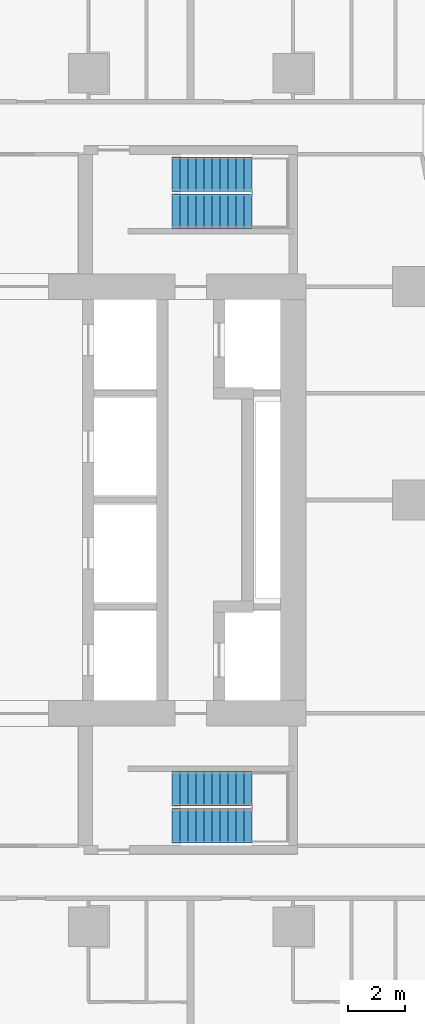
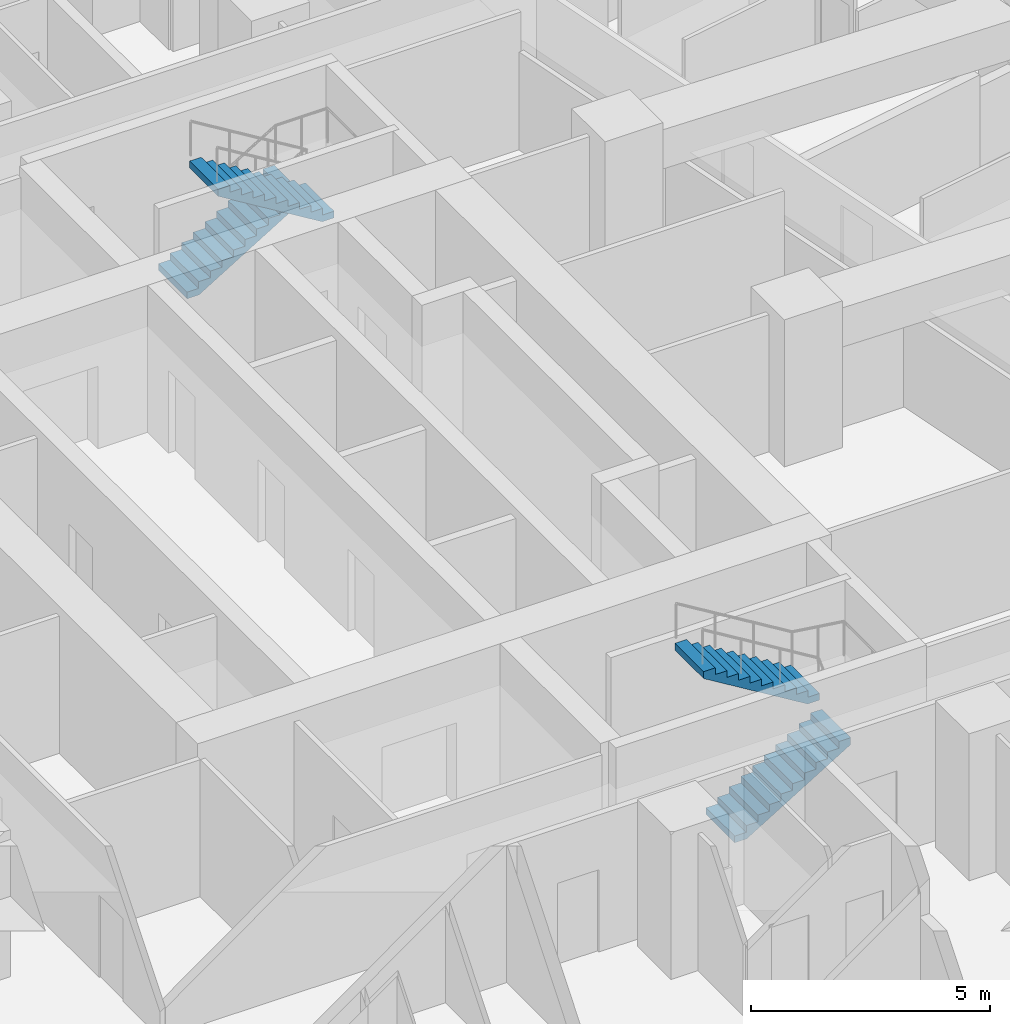
# One storey, part 16 of 17: 4 stair flights, 2 elements without a shape of their own.
"""IFC4 building model written with IfcOpenShell, lengths in metres."""

from ifc_helpers import new_model, si_unit, direction, frame, origin, place, context, subcontext, project, spatial, triangles, material, type_object, element, aggregate, save


model = new_model("IFC4")

# Units and contexts
model_context = context("Model", 3, precision=1e-05, world=origin(), true_north=direction((0.0, 1.0)))
body_context = subcontext(model_context, "Body", "Model", "MODEL_VIEW")
ifc_project = project(units=[si_unit("LENGTHUNIT", "METRE"), si_unit("AREAUNIT", "SQUARE_METRE"), si_unit("VOLUMEUNIT", "CUBIC_METRE"), si_unit("PLANEANGLEUNIT", "RADIAN"), si_unit("MASSUNIT", "GRAM", prefix="KILO")], contexts=[model_context])

# Site, building, storey
site_placement = place(None, origin())
site = spatial("IfcSite", under=ifc_project, at=site_placement, CompositionType="ELEMENT")
building_placement = place(site_placement, origin())
building = spatial("IfcBuilding", under=site, at=building_placement, Name="Sheger Commons Tower", CompositionType="ELEMENT")
storey_placement = place(building_placement, frame((0.0, 0.0, 208.699951171875)))
storey = spatial("IfcBuildingStorey", under=building, at=storey_placement, Name="L53", CompositionType="ELEMENT", Elevation=208.699951171875)

# Stair, stair flights
ifc_material_1 = material(Name="Concrete C35/45", Category="concrete")
stair_type = type_object("IfcStairType", Name="HALF-TURN STAIR 1200 RISE 3750", PredefinedType="HALF_TURN_STAIR", material=ifc_material_1)
stair_1_placement = place(storey_placement, origin())
stair_1 = element("IfcStair", 1, at=stair_1_placement, inside=storey, type_object=stair_type, Name="Stair S1 L53", PredefinedType="HALF_TURN_STAIR")
ifc_material_2 = material(Name="Concrete C35/45", Category="concrete")
stair_flight_type = type_object("IfcStairFlightType", Name="STAIR FLIGHT 1200 11 RISERS OF 170", PredefinedType="STRAIGHT", material=ifc_material_2)
stair_flight_1_placement = place(storey_placement, frame((24.550048828125, 11.050048828125, 0.0), z_axis=(0.0, 0.0, 1.0), x_axis=(1.0, 0.0, 0.0)))
stair_flight_1 = element("IfcStairFlight", 2, at=stair_flight_1_placement, type_object=stair_flight_type, Name="S1 flight 1", NumberOfRisers=11, NumberOfTreads=10, PredefinedType="STRAIGHT", RiserHeight=0.170454545, TreadLength=0.28, context=body_context, shape_type="Tessellation", body=[
    triangles([(0.0, 0.5999755859375, 0.0), (0.0, 0.5999755859375, 0.17041015625), (0.280029296875, 0.5999755859375, 0.17041015625), (0.280029296875, 0.5999755859375, 0.3408203125), (0.56005859375, 0.5999755859375, 0.3408203125), (0.56005859375, 0.5999755859375, 0.511474609375), (0.840087890625, 0.5999755859375, 0.511474609375), (0.840087890625, 0.5999755859375, 0.681884765625), (1.1201171875, 0.5999755859375, 0.681884765625), (1.1201171875, 0.5999755859375, 0.852294921875), (1.39990234375, 0.5999755859375, 0.852294921875), (1.39990234375, 0.5999755859375, 1.022705078125), (1.679931640625, 0.5999755859375, 1.022705078125), (1.679931640625, 0.5999755859375, 1.193115234375), (1.9599609375, 0.5999755859375, 1.193115234375), (1.9599609375, 0.5999755859375, 1.363525390625), (2.239990234375, 0.5999755859375, 1.363525390625), (2.239990234375, 0.5999755859375, 1.5341796875), (2.52001953125, 0.5999755859375, 1.5341796875), (2.52001953125, 0.5999755859375, 1.70458984375), (2.800048828125, 0.5999755859375, 1.70458984375), (2.800048828125, 0.5999755859375, 1.529052734375), (0.288330078125, 0.5999755859375, 0.0), (0.0, -0.5999755859375, 0.0), (0.0, -0.5999755859375, 0.17041015625), (0.280029296875, -0.5999755859375, 0.17041015625), (0.280029296875, -0.5999755859375, 0.3408203125), (0.56005859375, -0.5999755859375, 0.3408203125), (0.56005859375, -0.5999755859375, 0.511474609375), (0.840087890625, -0.5999755859375, 0.511474609375), (0.840087890625, -0.5999755859375, 0.681884765625), (1.1201171875, -0.5999755859375, 0.681884765625), (1.1201171875, -0.5999755859375, 0.852294921875), (1.39990234375, -0.5999755859375, 0.852294921875), (1.39990234375, -0.5999755859375, 1.022705078125), (1.679931640625, -0.5999755859375, 1.022705078125), (1.679931640625, -0.5999755859375, 1.193115234375), (1.9599609375, -0.5999755859375, 1.193115234375), (1.9599609375, -0.5999755859375, 1.363525390625), (2.239990234375, -0.5999755859375, 1.363525390625), (2.239990234375, -0.5999755859375, 1.5341796875), (2.52001953125, -0.5999755859375, 1.5341796875), (2.52001953125, -0.5999755859375, 1.70458984375), (2.800048828125, -0.5999755859375, 1.70458984375), (2.800048828125, -0.5999755859375, 1.529052734375), (0.288330078125, -0.5999755859375, 0.0), (0.0, 0.0, 0.085205078125), (0.1400146484375, 0.0, 0.17041015625), (0.280029296875, 0.0, 0.255615234375), (0.4200439453125, 0.0, 0.3408203125), (0.56005859375, 0.0, 0.4261474609375), (0.7000732421875, 0.0, 0.511474609375), (0.840087890625, 0.0, 0.5966796875), (0.9801025390625, 0.0, 0.681884765625), (1.1201171875, 0.0, 0.76708984375), (1.260009765625, 0.0, 0.852294921875), (1.39990234375, 0.0, 0.9375), (1.5399169921875, 0.0, 1.022705078125), (1.679931640625, 0.0, 1.10791015625), (1.8199462890625, 0.0, 1.193115234375), (1.9599609375, 0.0, 1.2783203125), (2.0999755859375, 0.0, 1.363525390625), (2.239990234375, 0.0, 1.4488525390625), (2.3800048828125, 0.0, 1.5341796875), (2.52001953125, 0.0, 1.619384765625), (2.6600341796875, 0.0, 1.70458984375), (2.800048828125, 0.0, 1.6168212890625), (1.544189453125, 0.0, 0.7645263671875), (0.1441650390625, 0.0, 0.0)], [[1, 22, 23], [24, 46, 45], [22, 20, 21], [45, 44, 43], [22, 19, 20], [45, 43, 42], [22, 18, 19], [45, 42, 41], [22, 17, 18], [45, 41, 40], [17, 15, 16], [40, 39, 38], [22, 15, 17], [45, 40, 38], [15, 13, 14], [38, 37, 36], [22, 13, 15], [45, 38, 36], [13, 11, 12], [36, 35, 34], [22, 11, 13], [45, 36, 34], [11, 9, 10], [34, 33, 32], [22, 9, 11], [45, 34, 32], [9, 7, 8], [32, 31, 30], [22, 7, 9], [45, 32, 30], [7, 5, 6], [30, 29, 28], [22, 5, 7], [45, 30, 28], [5, 3, 4], [28, 27, 26], [22, 3, 5], [45, 28, 26], [1, 3, 22], [24, 45, 26], [3, 1, 2], [26, 25, 24], [1, 47, 2], [2, 47, 25], [25, 47, 24], [24, 47, 1], [2, 48, 3], [3, 48, 26], [26, 48, 25], [25, 48, 2], [3, 49, 4], [4, 49, 27], [27, 49, 26], [26, 49, 3], [4, 50, 5], [5, 50, 28], [28, 50, 27], [27, 50, 4], [5, 51, 6], [6, 51, 29], [29, 51, 28], [28, 51, 5], [6, 52, 7], [7, 52, 30], [30, 52, 29], [29, 52, 6], [7, 53, 8], [8, 53, 31], [31, 53, 30], [30, 53, 7], [8, 54, 9], [9, 54, 32], [32, 54, 31], [31, 54, 8], [9, 55, 10], [10, 55, 33], [33, 55, 32], [32, 55, 9], [10, 56, 11], [11, 56, 34], [34, 56, 33], [33, 56, 10], [11, 57, 12], [12, 57, 35], [35, 57, 34], [34, 57, 11], [12, 58, 13], [13, 58, 36], [36, 58, 35], [35, 58, 12], [13, 59, 14], [14, 59, 37], [37, 59, 36], [36, 59, 13], [14, 60, 15], [15, 60, 38], [38, 60, 37], [37, 60, 14], [15, 61, 16], [16, 61, 39], [39, 61, 38], [38, 61, 15], [16, 62, 17], [17, 62, 40], [40, 62, 39], [39, 62, 16], [17, 63, 18], [18, 63, 41], [41, 63, 40], [40, 63, 17], [18, 64, 19], [19, 64, 42], [42, 64, 41], [41, 64, 18], [19, 65, 20], [20, 65, 43], [43, 65, 42], [42, 65, 19], [20, 66, 21], [21, 66, 44], [44, 66, 43], [43, 66, 20], [21, 67, 22], [22, 67, 45], [45, 67, 44], [44, 67, 21], [22, 68, 23], [23, 68, 46], [46, 68, 45], [45, 68, 22], [23, 69, 1], [1, 69, 24], [24, 69, 46], [46, 69, 23]], closed=True),
])
stair_flight_2_placement = place(storey_placement, frame((27.35009765625, 12.35009765625, 1.875), z_axis=(0.0, 0.0, 1.0), x_axis=(-1.0, 0.0, 0.0)))
stair_flight_2 = element("IfcStairFlight", 3, at=stair_flight_2_placement, type_object=stair_flight_type, Name="S1 flight 2", NumberOfRisers=11, NumberOfTreads=10, PredefinedType="STRAIGHT", RiserHeight=0.170454545, TreadLength=0.28, context=body_context, shape_type="Tessellation", body=[
    triangles([(0.0, 0.5999755859375, 0.0), (0.0, 0.5999755859375, 0.17041015625), (0.280029296875, 0.5999755859375, 0.17041015625), (0.280029296875, 0.5999755859375, 0.3408203125), (0.56005859375, 0.5999755859375, 0.3408203125), (0.56005859375, 0.5999755859375, 0.511474609375), (0.840087890625, 0.5999755859375, 0.511474609375), (0.840087890625, 0.5999755859375, 0.681884765625), (1.1201171875, 0.5999755859375, 0.681884765625), (1.1201171875, 0.5999755859375, 0.852294921875), (1.39990234375, 0.5999755859375, 0.852294921875), (1.39990234375, 0.5999755859375, 1.022705078125), (1.679931640625, 0.5999755859375, 1.022705078125), (1.679931640625, 0.5999755859375, 1.193115234375), (1.9599609375, 0.5999755859375, 1.193115234375), (1.9599609375, 0.5999755859375, 1.363525390625), (2.239990234375, 0.5999755859375, 1.363525390625), (2.239990234375, 0.5999755859375, 1.5341796875), (2.52001953125, 0.5999755859375, 1.5341796875), (2.52001953125, 0.5999755859375, 1.70458984375), (2.800048828125, 0.5999755859375, 1.70458984375), (2.800048828125, 0.5999755859375, 1.529052734375), (0.288330078125, 0.5999755859375, 0.0), (0.0, -0.5999755859375, 0.0), (0.0, -0.5999755859375, 0.17041015625), (0.280029296875, -0.5999755859375, 0.17041015625), (0.280029296875, -0.5999755859375, 0.3408203125), (0.56005859375, -0.5999755859375, 0.3408203125), (0.56005859375, -0.5999755859375, 0.511474609375), (0.840087890625, -0.5999755859375, 0.511474609375), (0.840087890625, -0.5999755859375, 0.681884765625), (1.1201171875, -0.5999755859375, 0.681884765625), (1.1201171875, -0.5999755859375, 0.852294921875), (1.39990234375, -0.5999755859375, 0.852294921875), (1.39990234375, -0.5999755859375, 1.022705078125), (1.679931640625, -0.5999755859375, 1.022705078125), (1.679931640625, -0.5999755859375, 1.193115234375), (1.9599609375, -0.5999755859375, 1.193115234375), (1.9599609375, -0.5999755859375, 1.363525390625), (2.239990234375, -0.5999755859375, 1.363525390625), (2.239990234375, -0.5999755859375, 1.5341796875), (2.52001953125, -0.5999755859375, 1.5341796875), (2.52001953125, -0.5999755859375, 1.70458984375), (2.800048828125, -0.5999755859375, 1.70458984375), (2.800048828125, -0.5999755859375, 1.529052734375), (0.288330078125, -0.5999755859375, 0.0), (0.0, 0.0, 0.085205078125), (0.1400146484375, 0.0, 0.17041015625), (0.280029296875, 0.0, 0.255615234375), (0.4200439453125, 0.0, 0.3408203125), (0.56005859375, 0.0, 0.4261474609375), (0.7000732421875, 0.0, 0.511474609375), (0.840087890625, 0.0, 0.5966796875), (0.9801025390625, 0.0, 0.681884765625), (1.1201171875, 0.0, 0.76708984375), (1.260009765625, 0.0, 0.852294921875), (1.39990234375, 0.0, 0.9375), (1.5399169921875, 0.0, 1.022705078125), (1.679931640625, 0.0, 1.10791015625), (1.8199462890625, 0.0, 1.193115234375), (1.9599609375, 0.0, 1.2783203125), (2.0999755859375, 0.0, 1.363525390625), (2.239990234375, 0.0, 1.4488525390625), (2.3800048828125, 0.0, 1.5341796875), (2.52001953125, 0.0, 1.619384765625), (2.6600341796875, 0.0, 1.70458984375), (2.800048828125, 0.0, 1.6168212890625), (1.544189453125, 0.0, 0.7645263671875), (0.1441650390625, 0.0, 0.0)], [[1, 22, 23], [24, 46, 45], [22, 20, 21], [45, 44, 43], [22, 19, 20], [45, 43, 42], [22, 18, 19], [45, 42, 41], [22, 17, 18], [45, 41, 40], [17, 15, 16], [40, 39, 38], [22, 15, 17], [45, 40, 38], [15, 13, 14], [38, 37, 36], [22, 13, 15], [45, 38, 36], [13, 11, 12], [36, 35, 34], [22, 11, 13], [45, 36, 34], [11, 9, 10], [34, 33, 32], [22, 9, 11], [45, 34, 32], [9, 7, 8], [32, 31, 30], [22, 7, 9], [45, 32, 30], [7, 5, 6], [30, 29, 28], [22, 5, 7], [45, 30, 28], [5, 3, 4], [28, 27, 26], [22, 3, 5], [45, 28, 26], [1, 3, 22], [24, 45, 26], [3, 1, 2], [26, 25, 24], [1, 47, 2], [2, 47, 25], [25, 47, 24], [24, 47, 1], [2, 48, 3], [3, 48, 26], [26, 48, 25], [25, 48, 2], [3, 49, 4], [4, 49, 27], [27, 49, 26], [26, 49, 3], [4, 50, 5], [5, 50, 28], [28, 50, 27], [27, 50, 4], [5, 51, 6], [6, 51, 29], [29, 51, 28], [28, 51, 5], [6, 52, 7], [7, 52, 30], [30, 52, 29], [29, 52, 6], [7, 53, 8], [8, 53, 31], [31, 53, 30], [30, 53, 7], [8, 54, 9], [9, 54, 32], [32, 54, 31], [31, 54, 8], [9, 55, 10], [10, 55, 33], [33, 55, 32], [32, 55, 9], [10, 56, 11], [11, 56, 34], [34, 56, 33], [33, 56, 10], [11, 57, 12], [12, 57, 35], [35, 57, 34], [34, 57, 11], [12, 58, 13], [13, 58, 36], [36, 58, 35], [35, 58, 12], [13, 59, 14], [14, 59, 37], [37, 59, 36], [36, 59, 13], [14, 60, 15], [15, 60, 38], [38, 60, 37], [37, 60, 14], [15, 61, 16], [16, 61, 39], [39, 61, 38], [38, 61, 15], [16, 62, 17], [17, 62, 40], [40, 62, 39], [39, 62, 16], [17, 63, 18], [18, 63, 41], [41, 63, 40], [40, 63, 17], [18, 64, 19], [19, 64, 42], [42, 64, 41], [41, 64, 18], [19, 65, 20], [20, 65, 43], [43, 65, 42], [42, 65, 19], [20, 66, 21], [21, 66, 44], [44, 66, 43], [43, 66, 20], [21, 67, 22], [22, 67, 45], [45, 67, 44], [44, 67, 21], [22, 68, 23], [23, 68, 46], [46, 68, 45], [45, 68, 22], [23, 69, 1], [1, 69, 24], [24, 69, 46], [46, 69, 23]], closed=True),
])
aggregate(stair_1, [stair_flight_1, stair_flight_2])

stair_2_placement = place(storey_placement, origin())
stair_2 = element("IfcStair", 4, at=stair_2_placement, inside=storey, type_object=stair_type, Name="Stair S2 L53", PredefinedType="HALF_TURN_STAIR")
stair_flight_3_placement = place(storey_placement, frame((24.550048828125, 33.949951171875, 0.0), z_axis=(0.0, 0.0, 1.0), x_axis=(1.0, 0.0, 0.0)))
stair_flight_3 = element("IfcStairFlight", 5, at=stair_flight_3_placement, type_object=stair_flight_type, Name="S2 flight 1", NumberOfRisers=11, NumberOfTreads=10, PredefinedType="STRAIGHT", RiserHeight=0.170454545, TreadLength=0.28, context=body_context, shape_type="Tessellation", body=[
    triangles([(0.0, 0.5999755859375, 0.0), (0.0, 0.5999755859375, 0.17041015625), (0.280029296875, 0.5999755859375, 0.17041015625), (0.280029296875, 0.5999755859375, 0.3408203125), (0.56005859375, 0.5999755859375, 0.3408203125), (0.56005859375, 0.5999755859375, 0.511474609375), (0.840087890625, 0.5999755859375, 0.511474609375), (0.840087890625, 0.5999755859375, 0.681884765625), (1.1201171875, 0.5999755859375, 0.681884765625), (1.1201171875, 0.5999755859375, 0.852294921875), (1.39990234375, 0.5999755859375, 0.852294921875), (1.39990234375, 0.5999755859375, 1.022705078125), (1.679931640625, 0.5999755859375, 1.022705078125), (1.679931640625, 0.5999755859375, 1.193115234375), (1.9599609375, 0.5999755859375, 1.193115234375), (1.9599609375, 0.5999755859375, 1.363525390625), (2.239990234375, 0.5999755859375, 1.363525390625), (2.239990234375, 0.5999755859375, 1.5341796875), (2.52001953125, 0.5999755859375, 1.5341796875), (2.52001953125, 0.5999755859375, 1.70458984375), (2.800048828125, 0.5999755859375, 1.70458984375), (2.800048828125, 0.5999755859375, 1.529052734375), (0.288330078125, 0.5999755859375, 0.0), (0.0, -0.5999755859375, 0.0), (0.0, -0.5999755859375, 0.17041015625), (0.280029296875, -0.5999755859375, 0.17041015625), (0.280029296875, -0.5999755859375, 0.3408203125), (0.56005859375, -0.5999755859375, 0.3408203125), (0.56005859375, -0.5999755859375, 0.511474609375), (0.840087890625, -0.5999755859375, 0.511474609375), (0.840087890625, -0.5999755859375, 0.681884765625), (1.1201171875, -0.5999755859375, 0.681884765625), (1.1201171875, -0.5999755859375, 0.852294921875), (1.39990234375, -0.5999755859375, 0.852294921875), (1.39990234375, -0.5999755859375, 1.022705078125), (1.679931640625, -0.5999755859375, 1.022705078125), (1.679931640625, -0.5999755859375, 1.193115234375), (1.9599609375, -0.5999755859375, 1.193115234375), (1.9599609375, -0.5999755859375, 1.363525390625), (2.239990234375, -0.5999755859375, 1.363525390625), (2.239990234375, -0.5999755859375, 1.5341796875), (2.52001953125, -0.5999755859375, 1.5341796875), (2.52001953125, -0.5999755859375, 1.70458984375), (2.800048828125, -0.5999755859375, 1.70458984375), (2.800048828125, -0.5999755859375, 1.529052734375), (0.288330078125, -0.5999755859375, 0.0), (0.0, 0.0, 0.085205078125), (0.1400146484375, 0.0, 0.17041015625), (0.280029296875, 0.0, 0.255615234375), (0.4200439453125, 0.0, 0.3408203125), (0.56005859375, 0.0, 0.4261474609375), (0.7000732421875, 0.0, 0.511474609375), (0.840087890625, 0.0, 0.5966796875), (0.9801025390625, 0.0, 0.681884765625), (1.1201171875, 0.0, 0.76708984375), (1.260009765625, 0.0, 0.852294921875), (1.39990234375, 0.0, 0.9375), (1.5399169921875, 0.0, 1.022705078125), (1.679931640625, 0.0, 1.10791015625), (1.8199462890625, 0.0, 1.193115234375), (1.9599609375, 0.0, 1.2783203125), (2.0999755859375, 0.0, 1.363525390625), (2.239990234375, 0.0, 1.4488525390625), (2.3800048828125, 0.0, 1.5341796875), (2.52001953125, 0.0, 1.619384765625), (2.6600341796875, 0.0, 1.70458984375), (2.800048828125, 0.0, 1.6168212890625), (1.544189453125, 0.0, 0.7645263671875), (0.1441650390625, 0.0, 0.0)], [[1, 22, 23], [24, 46, 45], [22, 20, 21], [45, 44, 43], [22, 19, 20], [45, 43, 42], [22, 18, 19], [45, 42, 41], [22, 17, 18], [45, 41, 40], [17, 15, 16], [40, 39, 38], [22, 15, 17], [45, 40, 38], [15, 13, 14], [38, 37, 36], [22, 13, 15], [45, 38, 36], [13, 11, 12], [36, 35, 34], [22, 11, 13], [45, 36, 34], [11, 9, 10], [34, 33, 32], [22, 9, 11], [45, 34, 32], [9, 7, 8], [32, 31, 30], [22, 7, 9], [45, 32, 30], [7, 5, 6], [30, 29, 28], [22, 5, 7], [45, 30, 28], [5, 3, 4], [28, 27, 26], [22, 3, 5], [45, 28, 26], [1, 3, 22], [24, 45, 26], [3, 1, 2], [26, 25, 24], [1, 47, 2], [2, 47, 25], [25, 47, 24], [24, 47, 1], [2, 48, 3], [3, 48, 26], [26, 48, 25], [25, 48, 2], [3, 49, 4], [4, 49, 27], [27, 49, 26], [26, 49, 3], [4, 50, 5], [5, 50, 28], [28, 50, 27], [27, 50, 4], [5, 51, 6], [6, 51, 29], [29, 51, 28], [28, 51, 5], [6, 52, 7], [7, 52, 30], [30, 52, 29], [29, 52, 6], [7, 53, 8], [8, 53, 31], [31, 53, 30], [30, 53, 7], [8, 54, 9], [9, 54, 32], [32, 54, 31], [31, 54, 8], [9, 55, 10], [10, 55, 33], [33, 55, 32], [32, 55, 9], [10, 56, 11], [11, 56, 34], [34, 56, 33], [33, 56, 10], [11, 57, 12], [12, 57, 35], [35, 57, 34], [34, 57, 11], [12, 58, 13], [13, 58, 36], [36, 58, 35], [35, 58, 12], [13, 59, 14], [14, 59, 37], [37, 59, 36], [36, 59, 13], [14, 60, 15], [15, 60, 38], [38, 60, 37], [37, 60, 14], [15, 61, 16], [16, 61, 39], [39, 61, 38], [38, 61, 15], [16, 62, 17], [17, 62, 40], [40, 62, 39], [39, 62, 16], [17, 63, 18], [18, 63, 41], [41, 63, 40], [40, 63, 17], [18, 64, 19], [19, 64, 42], [42, 64, 41], [41, 64, 18], [19, 65, 20], [20, 65, 43], [43, 65, 42], [42, 65, 19], [20, 66, 21], [21, 66, 44], [44, 66, 43], [43, 66, 20], [21, 67, 22], [22, 67, 45], [45, 67, 44], [44, 67, 21], [22, 68, 23], [23, 68, 46], [46, 68, 45], [45, 68, 22], [23, 69, 1], [1, 69, 24], [24, 69, 46], [46, 69, 23]], closed=True),
])
stair_flight_4_placement = place(storey_placement, frame((27.35009765625, 32.64990234375, 1.875), z_axis=(0.0, 0.0, 1.0), x_axis=(-1.0, 0.0, 0.0)))
stair_flight_4 = element("IfcStairFlight", 6, at=stair_flight_4_placement, type_object=stair_flight_type, Name="S2 flight 2", NumberOfRisers=11, NumberOfTreads=10, PredefinedType="STRAIGHT", RiserHeight=0.170454545, TreadLength=0.28, context=body_context, shape_type="Tessellation", body=[
    triangles([(0.0, 0.5999755859375, 0.0), (0.0, 0.5999755859375, 0.17041015625), (0.280029296875, 0.5999755859375, 0.17041015625), (0.280029296875, 0.5999755859375, 0.3408203125), (0.56005859375, 0.5999755859375, 0.3408203125), (0.56005859375, 0.5999755859375, 0.511474609375), (0.840087890625, 0.5999755859375, 0.511474609375), (0.840087890625, 0.5999755859375, 0.681884765625), (1.1201171875, 0.5999755859375, 0.681884765625), (1.1201171875, 0.5999755859375, 0.852294921875), (1.39990234375, 0.5999755859375, 0.852294921875), (1.39990234375, 0.5999755859375, 1.022705078125), (1.679931640625, 0.5999755859375, 1.022705078125), (1.679931640625, 0.5999755859375, 1.193115234375), (1.9599609375, 0.5999755859375, 1.193115234375), (1.9599609375, 0.5999755859375, 1.363525390625), (2.239990234375, 0.5999755859375, 1.363525390625), (2.239990234375, 0.5999755859375, 1.5341796875), (2.52001953125, 0.5999755859375, 1.5341796875), (2.52001953125, 0.5999755859375, 1.70458984375), (2.800048828125, 0.5999755859375, 1.70458984375), (2.800048828125, 0.5999755859375, 1.529052734375), (0.288330078125, 0.5999755859375, 0.0), (0.0, -0.5999755859375, 0.0), (0.0, -0.5999755859375, 0.17041015625), (0.280029296875, -0.5999755859375, 0.17041015625), (0.280029296875, -0.5999755859375, 0.3408203125), (0.56005859375, -0.5999755859375, 0.3408203125), (0.56005859375, -0.5999755859375, 0.511474609375), (0.840087890625, -0.5999755859375, 0.511474609375), (0.840087890625, -0.5999755859375, 0.681884765625), (1.1201171875, -0.5999755859375, 0.681884765625), (1.1201171875, -0.5999755859375, 0.852294921875), (1.39990234375, -0.5999755859375, 0.852294921875), (1.39990234375, -0.5999755859375, 1.022705078125), (1.679931640625, -0.5999755859375, 1.022705078125), (1.679931640625, -0.5999755859375, 1.193115234375), (1.9599609375, -0.5999755859375, 1.193115234375), (1.9599609375, -0.5999755859375, 1.363525390625), (2.239990234375, -0.5999755859375, 1.363525390625), (2.239990234375, -0.5999755859375, 1.5341796875), (2.52001953125, -0.5999755859375, 1.5341796875), (2.52001953125, -0.5999755859375, 1.70458984375), (2.800048828125, -0.5999755859375, 1.70458984375), (2.800048828125, -0.5999755859375, 1.529052734375), (0.288330078125, -0.5999755859375, 0.0), (0.0, 0.0, 0.085205078125), (0.1400146484375, 0.0, 0.17041015625), (0.280029296875, 0.0, 0.255615234375), (0.4200439453125, 0.0, 0.3408203125), (0.56005859375, 0.0, 0.4261474609375), (0.7000732421875, 0.0, 0.511474609375), (0.840087890625, 0.0, 0.5966796875), (0.9801025390625, 0.0, 0.681884765625), (1.1201171875, 0.0, 0.76708984375), (1.260009765625, 0.0, 0.852294921875), (1.39990234375, 0.0, 0.9375), (1.5399169921875, 0.0, 1.022705078125), (1.679931640625, 0.0, 1.10791015625), (1.8199462890625, 0.0, 1.193115234375), (1.9599609375, 0.0, 1.2783203125), (2.0999755859375, 0.0, 1.363525390625), (2.239990234375, 0.0, 1.4488525390625), (2.3800048828125, 0.0, 1.5341796875), (2.52001953125, 0.0, 1.619384765625), (2.6600341796875, 0.0, 1.70458984375), (2.800048828125, 0.0, 1.6168212890625), (1.544189453125, 0.0, 0.7645263671875), (0.1441650390625, 0.0, 0.0)], [[1, 22, 23], [24, 46, 45], [22, 20, 21], [45, 44, 43], [22, 19, 20], [45, 43, 42], [22, 18, 19], [45, 42, 41], [22, 17, 18], [45, 41, 40], [17, 15, 16], [40, 39, 38], [22, 15, 17], [45, 40, 38], [15, 13, 14], [38, 37, 36], [22, 13, 15], [45, 38, 36], [13, 11, 12], [36, 35, 34], [22, 11, 13], [45, 36, 34], [11, 9, 10], [34, 33, 32], [22, 9, 11], [45, 34, 32], [9, 7, 8], [32, 31, 30], [22, 7, 9], [45, 32, 30], [7, 5, 6], [30, 29, 28], [22, 5, 7], [45, 30, 28], [5, 3, 4], [28, 27, 26], [22, 3, 5], [45, 28, 26], [1, 3, 22], [24, 45, 26], [3, 1, 2], [26, 25, 24], [1, 47, 2], [2, 47, 25], [25, 47, 24], [24, 47, 1], [2, 48, 3], [3, 48, 26], [26, 48, 25], [25, 48, 2], [3, 49, 4], [4, 49, 27], [27, 49, 26], [26, 49, 3], [4, 50, 5], [5, 50, 28], [28, 50, 27], [27, 50, 4], [5, 51, 6], [6, 51, 29], [29, 51, 28], [28, 51, 5], [6, 52, 7], [7, 52, 30], [30, 52, 29], [29, 52, 6], [7, 53, 8], [8, 53, 31], [31, 53, 30], [30, 53, 7], [8, 54, 9], [9, 54, 32], [32, 54, 31], [31, 54, 8], [9, 55, 10], [10, 55, 33], [33, 55, 32], [32, 55, 9], [10, 56, 11], [11, 56, 34], [34, 56, 33], [33, 56, 10], [11, 57, 12], [12, 57, 35], [35, 57, 34], [34, 57, 11], [12, 58, 13], [13, 58, 36], [36, 58, 35], [35, 58, 12], [13, 59, 14], [14, 59, 37], [37, 59, 36], [36, 59, 13], [14, 60, 15], [15, 60, 38], [38, 60, 37], [37, 60, 14], [15, 61, 16], [16, 61, 39], [39, 61, 38], [38, 61, 15], [16, 62, 17], [17, 62, 40], [40, 62, 39], [39, 62, 16], [17, 63, 18], [18, 63, 41], [41, 63, 40], [40, 63, 17], [18, 64, 19], [19, 64, 42], [42, 64, 41], [41, 64, 18], [19, 65, 20], [20, 65, 43], [43, 65, 42], [42, 65, 19], [20, 66, 21], [21, 66, 44], [44, 66, 43], [43, 66, 20], [21, 67, 22], [22, 67, 45], [45, 67, 44], [44, 67, 21], [22, 68, 23], [23, 68, 46], [46, 68, 45], [45, 68, 22], [23, 69, 1], [1, 69, 24], [24, 69, 46], [46, 69, 23]], closed=True),
])
aggregate(stair_2, [stair_flight_3, stair_flight_4])

save(model, "model.ifc")
